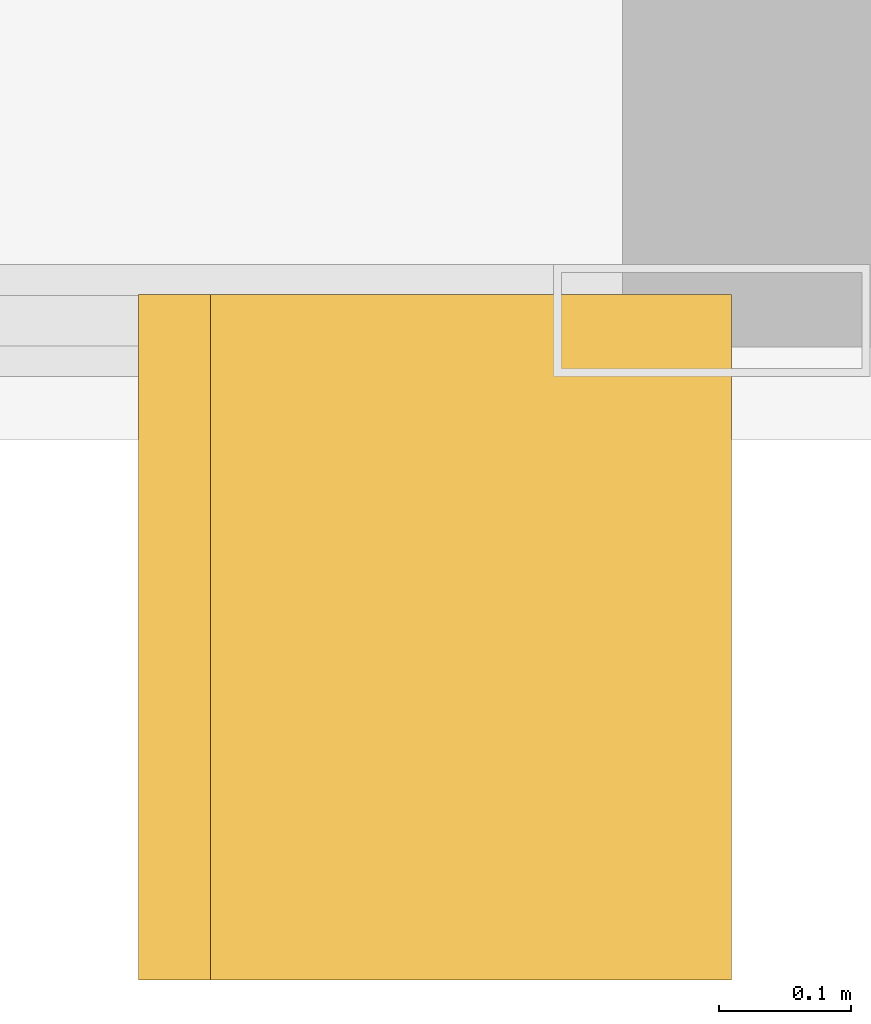
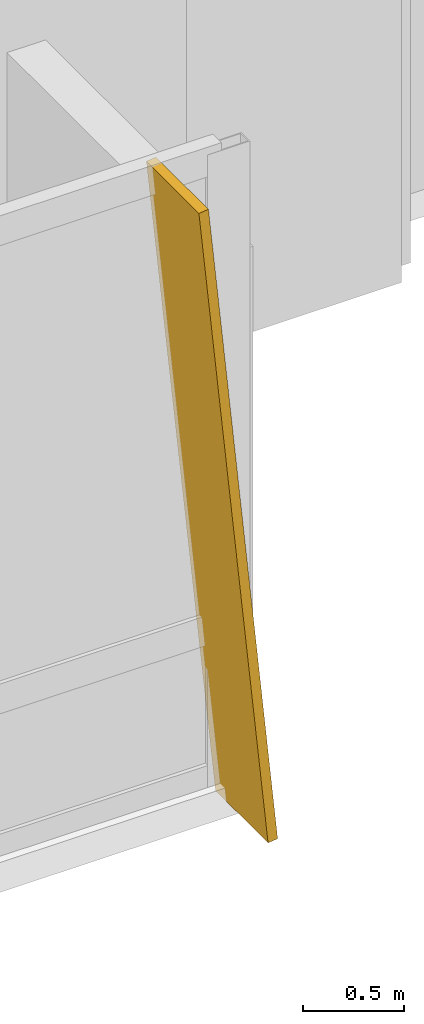
# One storey, part 37 of 37: 1 shading device.
"""IFC4 building model written with IfcOpenShell, lengths in metres."""

from ifc_helpers import new_model, si_unit, direction, frame, origin, place, context, subcontext, project, spatial, polyline, outline, extrude, material, layer, layer_set, type_object, element, save


model = new_model("IFC4")

# Units and contexts
model_context = context("Model", 3, precision=1e-05, world=origin(), true_north=direction((0.0, 1.0)))
body_context = subcontext(model_context, "Body", "Model", "MODEL_VIEW")
ifc_project = project(units=[si_unit("LENGTHUNIT", "METRE"), si_unit("AREAUNIT", "SQUARE_METRE"), si_unit("VOLUMEUNIT", "CUBIC_METRE"), si_unit("PLANEANGLEUNIT", "RADIAN"), si_unit("MASSUNIT", "GRAM", prefix="KILO")], contexts=[model_context])

# Site, building, storey
site_placement = place(None, origin())
site = spatial("IfcSite", under=ifc_project, at=site_placement, CompositionType="ELEMENT")
building_placement = place(site_placement, origin())
building = spatial("IfcBuilding", under=site, at=building_placement, Name="Khoronbel Lancet Exchange", CompositionType="ELEMENT")
storey_placement = place(building_placement, frame((0.0, 0.0, 45.800048828125)))
storey = spatial("IfcBuildingStorey", under=building, at=storey_placement, Name="L10", CompositionType="ELEMENT", Elevation=45.800048828125)

# Shading device
ifc_material = material(Name="Bronze-Anodised Aluminium 6063-T6", Category="aluminium")
ifc_layer = layer(ifc_material, 0.054931640625, Name="Bronze-Anodised Aluminium 6063-T6")
ifc_layer_set = layer_set([ifc_layer], Name="Bronze-Anodised Aluminium 6063-T6")
shading_device_type = type_object("IfcShadingDeviceType", Name="SHD-FIN1", PredefinedType="USERDEFINED", material=ifc_layer_set)
shading_device_placement = place(storey_placement, frame((67.9326171875, 7.31005859375, -0.080078125), z_axis=(0.995011517869, 0.0, 0.099760108806), x_axis=(0.0, -1.0, 0.0)))
element("IfcShadingDevice", 1, at=shading_device_placement, inside=storey, type_object=shading_device_type, Name="Slanted bronze solar fin CW-L10-SEV-1", ObjectType="FIN", PredefinedType="USERDEFINED", context=body_context, shape_type="SweptSolid", body=[
    extrude(outline(polyline([(0.0, 0.0), (0.52001953125, 0.0), (0.52001953125, -3.959716796875), (0.0, -3.959716796875), (0.0, 0.0)])), origin(), (0.0, 0.0, -1.0), 0.054931640625),
])

save(model, "model.ifc")
